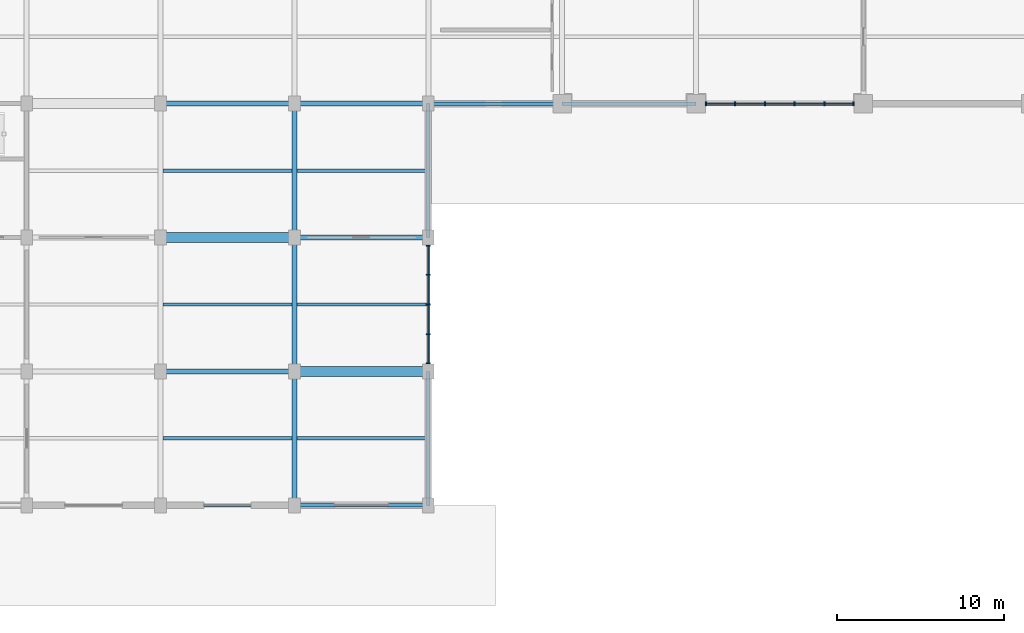
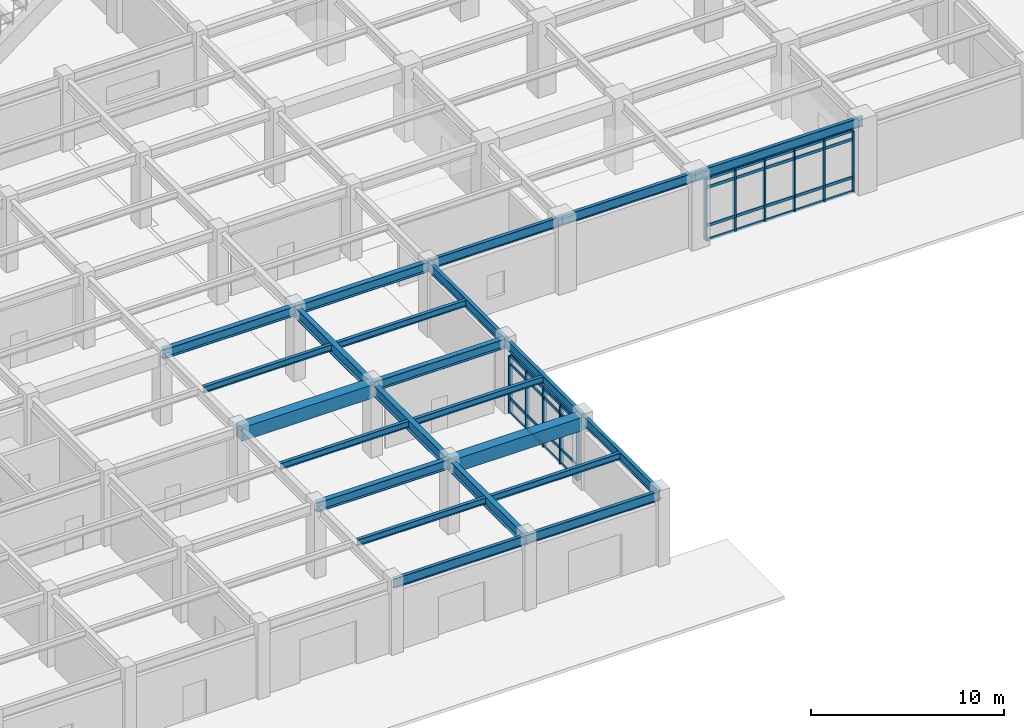
# One storey, part 34 of 125: 47 members, 23 beams, 2 elements without a shape of their own.
"""IFC4 building model written with IfcOpenShell, lengths in metres."""

from ifc_helpers import new_model, si_unit, direction, frame, origin, origin_2d, place, context, subcontext, project, spatial, rectangle, i_section, extrude, material, layer, layer_set, material_profile, profile_set, type_object, element, aggregate, save


model = new_model("IFC4")

# Units and contexts
model_context = context("Model", 3, precision=1e-05, world=origin(), true_north=direction((0.0, 1.0)))
body_context = subcontext(model_context, "Body", "Model", "MODEL_VIEW")
ifc_project = project(units=[si_unit("LENGTHUNIT", "METRE"), si_unit("AREAUNIT", "SQUARE_METRE"), si_unit("VOLUMEUNIT", "CUBIC_METRE"), si_unit("PLANEANGLEUNIT", "RADIAN"), si_unit("MASSUNIT", "GRAM", prefix="KILO")], contexts=[model_context])

# Site, building, storey
site_placement = place(None, origin())
site = spatial("IfcSite", under=ifc_project, at=site_placement, CompositionType="ELEMENT")
building_placement = place(site_placement, origin())
building = spatial("IfcBuilding", under=site, at=building_placement, Name="Haebicheon Civic Stadium", CompositionType="ELEMENT")
storey_placement = place(building_placement, origin())
storey = spatial("IfcBuildingStorey", under=building, at=storey_placement, Name="L01", CompositionType="ELEMENT", Elevation=0.0)

# Beams
ifc_material_1 = material(Name="Steel SM355 (S355)", Category="steel")
ifc_material_profile_1 = material_profile(ifc_material_1, i_section(OverallWidth=0.300048828125, OverallDepth=0.60009765625, WebThickness=0.011962890625, FlangeThickness=0.02001953125, at=origin_2d()), Name="H-600x300x12x20")
ifc_profile_set_1 = profile_set([ifc_material_profile_1], Name="Steel SM355 (S355)")
beam_type_1 = type_object("IfcBeamType", Name="BM-ST-H600A", PredefinedType="BEAM", material=ifc_profile_set_1)
for number, where, z_axis, x_axis, name in (
    (1, (184.0, 8.0, 4.219970703125), (1.0, 0.0, 0.0), (0.0, 1.0, 0.0), "L01 beam B/24-25"),
    (2, (184.0, 24.0, 4.219970703125), (1.0, 0.0, 0.0), (0.0, 1.0, 0.0), "L01 beam D/24-25"),
    (3, (192.0, 16.0, 4.219970703125), (1.0, 0.0, 0.0), (0.0, 1.0, 0.0), "L01 beam C/25-26"),
    (4, (192.0, 24.0, 4.219970703125), (1.0, 0.0, 0.0), (0.0, 1.0, 0.0), "L01 beam D/25-26"),
):
    element("IfcBeam", number, at=place(storey_placement, frame(where, z_axis=z_axis, x_axis=x_axis)), inside=storey, type_object=beam_type_1, material=ifc_profile_set_1, Name=name, PredefinedType="BEAM", context=body_context, shape_type="SweptSolid", body=[
        extrude(i_section(OverallWidth=0.300048828125, OverallDepth=0.60009765625, WebThickness=0.011962890625, FlangeThickness=0.02001953125, at=origin_2d()), origin(), (0.0, 0.0, 1.0), 8.0),
    ])
ifc_material_2 = material(Name="Steel SM490", Category="steel")
ifc_material_profile_2 = material_profile(ifc_material_2, i_section(OverallWidth=0.300048828125, OverallDepth=0.699951171875, WebThickness=0.012939453125, FlangeThickness=0.02392578125, at=origin_2d()), Name="H-700x300x13x24")
ifc_profile_set_2 = profile_set([ifc_material_profile_2], Name="Steel SM490")
beam_type_2 = type_object("IfcBeamType", Name="BM-ST-H700", PredefinedType="BEAM", material=ifc_profile_set_2)
for number, where, z_axis, x_axis, name in (
    (5, (192.0, 0.0, 4.169921875), (0.0, 1.0, 0.0), (-1.0, 0.0, 0.0), "L01 girder 25/A-B"),
    (6, (192.0, 8.0, 4.169921875), (0.0, 1.0, 0.0), (-1.0, 0.0, 0.0), "L01 girder 25/B-C"),
    (7, (192.0, 16.0, 4.169921875), (0.0, 1.0, 0.0), (-1.0, 0.0, 0.0), "L01 girder 25/C-D"),
):
    element("IfcBeam", number, at=place(storey_placement, frame(where, z_axis=z_axis, x_axis=x_axis)), inside=storey, type_object=beam_type_2, material=ifc_profile_set_2, Name=name, PredefinedType="BEAM", context=body_context, shape_type="SweptSolid", body=[
        extrude(i_section(OverallWidth=0.300048828125, OverallDepth=0.699951171875, WebThickness=0.012939453125, FlangeThickness=0.02392578125, at=origin_2d()), origin(), (0.0, 0.0, 1.0), 8.0),
    ])
ifc_material_3 = material(Name="Precast concrete C40/50", Category="concrete")
ifc_material_profile_3 = material_profile(ifc_material_3, rectangle(XDim=0.60009765625, YDim=0.85009765625, at=origin_2d()), Name="PC-TB-600x850")
ifc_profile_set_3 = profile_set([ifc_material_profile_3], Name="Precast concrete C40/50")
beam_type_3 = type_object("IfcBeamType", Name="BM-TB-600x850", PredefinedType="T_BEAM", material=ifc_profile_set_3)
for number, where, z_axis, x_axis, name in (
    (8, (184.0, 16.0, 4.094970703125), (1.0, 0.0, 0.0), (0.0, 1.0, 0.0), "L01 beam C/24-25"),
    (9, (192.0, 8.0, 4.094970703125), (1.0, 0.0, 0.0), (0.0, 1.0, 0.0), "L01 beam B/25-26"),
):
    element("IfcBeam", number, at=place(storey_placement, frame(where, z_axis=z_axis, x_axis=x_axis)), inside=storey, type_object=beam_type_3, material=ifc_profile_set_3, Name=name, PredefinedType="T_BEAM", context=body_context, shape_type="SweptSolid", body=[
        extrude(rectangle(XDim=0.60009765625, YDim=0.85009765625, at=origin_2d()), origin(), (0.0, 0.0, 1.0), 8.0),
    ])

# Curtain wall, members
ifc_material_4 = material(Name="Anodised aluminium and laminated glass", Category="aluminium")
ifc_layer_1 = layer(ifc_material_4, 0.179931640625, Name="Anodised aluminium and laminated glass")
ifc_layer_set_1 = layer_set([ifc_layer_1], Name="Anodised aluminium and laminated glass")
curtain_wall_type_1 = type_object("IfcCurtainWallType", Name="CW-7100x3660", PredefinedType="NOTDEFINED", material=ifc_layer_set_1)
curtain_wall_1_placement = place(storey_placement, origin())
curtain_wall_1 = element("IfcCurtainWall", 10, at=curtain_wall_1_placement, inside=storey, type_object=curtain_wall_type_1, material=ifc_layer_set_1, Name="L01 unitised curtain wall 023", PredefinedType="NOTDEFINED")
ifc_material_5 = material(Name="Anodised aluminium 6063-T6", Category="aluminium")
ifc_material_profile_4 = material_profile(ifc_material_5, rectangle(XDim=0.080078125, YDim=0.239990234375, at=origin_2d()), Name="ALU-MULL-80x240")
ifc_profile_set_4 = profile_set([ifc_material_profile_4], Name="Anodised aluminium 6063-T6")
member_type_1 = type_object("IfcMemberType", Name="CWM-240x80", PredefinedType="MULLION", material=ifc_profile_set_4)
member_1_placement = place(storey_placement, frame((200.0, 8.489990234375, 0.0), z_axis=(0.0, 0.0, 1.0), x_axis=(0.0, 1.0, 0.0)))
member_1 = element("IfcMember", 11, at=member_1_placement, type_object=member_type_1, material=ifc_profile_set_4, Name="CW-L01-023 vertical mullion 1", PredefinedType="MULLION", context=body_context, shape_type="SweptSolid", body=[
    extrude(rectangle(XDim=0.080078125, YDim=0.239990234375, at=origin_2d()), origin(), (0.0, 0.0, 1.0), 3.659912109375),
])
member_2_placement = place(storey_placement, frame((200.0, 10.22509765625, 0.0), z_axis=(0.0, 0.0, 1.0), x_axis=(0.0, 1.0, 0.0)))
member_2 = element("IfcMember", 12, at=member_2_placement, type_object=member_type_1, material=ifc_profile_set_4, Name="CW-L01-023 vertical mullion 2", PredefinedType="MULLION", context=body_context, shape_type="SweptSolid", body=[
    extrude(rectangle(XDim=0.080078125, YDim=0.239990234375, at=origin_2d()), origin(), (0.0, 0.0, 1.0), 3.659912109375),
])
member_3_placement = place(storey_placement, frame((200.0, 12.0, 0.0), z_axis=(0.0, 0.0, 1.0), x_axis=(0.0, 1.0, 0.0)))
member_3 = element("IfcMember", 13, at=member_3_placement, type_object=member_type_1, material=ifc_profile_set_4, Name="CW-L01-023 vertical mullion 3", PredefinedType="MULLION", context=body_context, shape_type="SweptSolid", body=[
    extrude(rectangle(XDim=0.080078125, YDim=0.239990234375, at=origin_2d()), origin(), (0.0, 0.0, 1.0), 3.659912109375),
])
member_4_placement = place(storey_placement, frame((200.0, 13.77490234375, 0.0), z_axis=(0.0, 0.0, 1.0), x_axis=(0.0, 1.0, 0.0)))
member_4 = element("IfcMember", 14, at=member_4_placement, type_object=member_type_1, material=ifc_profile_set_4, Name="CW-L01-023 vertical mullion 4", PredefinedType="MULLION", context=body_context, shape_type="SweptSolid", body=[
    extrude(rectangle(XDim=0.080078125, YDim=0.239990234375, at=origin_2d()), origin(), (0.0, 0.0, 1.0), 3.659912109375),
])
member_5_placement = place(storey_placement, frame((200.0, 15.510009765625, 0.0), z_axis=(0.0, 0.0, 1.0), x_axis=(0.0, 1.0, 0.0)))
member_5 = element("IfcMember", 15, at=member_5_placement, type_object=member_type_1, material=ifc_profile_set_4, Name="CW-L01-023 vertical mullion 5", PredefinedType="MULLION", context=body_context, shape_type="SweptSolid", body=[
    extrude(rectangle(XDim=0.080078125, YDim=0.239990234375, at=origin_2d()), origin(), (0.0, 0.0, 1.0), 3.659912109375),
])

ifc_material_6 = material(Name="Anodised aluminium and laminated glass", Category="aluminium")
ifc_layer_2 = layer(ifc_material_6, 0.179931640625, Name="Anodised aluminium and laminated glass")
ifc_layer_set_2 = layer_set([ifc_layer_2], Name="Anodised aluminium and laminated glass")
curtain_wall_type_2 = type_object("IfcCurtainWallType", Name="CW-8900x3870", PredefinedType="NOTDEFINED", material=ifc_layer_set_2)
curtain_wall_2_placement = place(storey_placement, origin())
curtain_wall_2 = element("IfcCurtainWall", 16, at=curtain_wall_2_placement, inside=storey, type_object=curtain_wall_type_2, material=ifc_layer_set_2, Name="L01 unitised curtain wall 027", PredefinedType="NOTDEFINED")
member_6_placement = place(storey_placement, frame((216.590087890625, 24.0, 0.0), z_axis=(0.0, 0.0, 1.0), x_axis=(1.0, 0.0, 0.0)))
member_6 = element("IfcMember", 17, at=member_6_placement, type_object=member_type_1, material=ifc_profile_set_4, Name="CW-L01-027 vertical mullion 1", PredefinedType="MULLION", context=body_context, shape_type="SweptSolid", body=[
    extrude(rectangle(XDim=0.080078125, YDim=0.239990234375, at=origin_2d()), origin(), (0.0, 0.0, 1.0), 3.8701171875),
])
member_7_placement = place(storey_placement, frame((218.330078125, 24.0, 0.0), z_axis=(0.0, 0.0, 1.0), x_axis=(1.0, 0.0, 0.0)))
member_7 = element("IfcMember", 18, at=member_7_placement, type_object=member_type_1, material=ifc_profile_set_4, Name="CW-L01-027 vertical mullion 2", PredefinedType="MULLION", context=body_context, shape_type="SweptSolid", body=[
    extrude(rectangle(XDim=0.080078125, YDim=0.239990234375, at=origin_2d()), origin(), (0.0, 0.0, 1.0), 3.8701171875),
])
member_8_placement = place(storey_placement, frame((220.110107421875, 24.0, 0.0), z_axis=(0.0, 0.0, 1.0), x_axis=(1.0, 0.0, 0.0)))
member_8 = element("IfcMember", 19, at=member_8_placement, type_object=member_type_1, material=ifc_profile_set_4, Name="CW-L01-027 vertical mullion 3", PredefinedType="MULLION", context=body_context, shape_type="SweptSolid", body=[
    extrude(rectangle(XDim=0.080078125, YDim=0.239990234375, at=origin_2d()), origin(), (0.0, 0.0, 1.0), 3.8701171875),
])
member_9_placement = place(storey_placement, frame((221.889892578125, 24.0, 0.0), z_axis=(0.0, 0.0, 1.0), x_axis=(1.0, 0.0, 0.0)))
member_9 = element("IfcMember", 20, at=member_9_placement, type_object=member_type_1, material=ifc_profile_set_4, Name="CW-L01-027 vertical mullion 4", PredefinedType="MULLION", context=body_context, shape_type="SweptSolid", body=[
    extrude(rectangle(XDim=0.080078125, YDim=0.239990234375, at=origin_2d()), origin(), (0.0, 0.0, 1.0), 3.8701171875),
])
member_10_placement = place(storey_placement, frame((223.669921875, 24.0, 0.0), z_axis=(0.0, 0.0, 1.0), x_axis=(1.0, 0.0, 0.0)))
member_10 = element("IfcMember", 21, at=member_10_placement, type_object=member_type_1, material=ifc_profile_set_4, Name="CW-L01-027 vertical mullion 5", PredefinedType="MULLION", context=body_context, shape_type="SweptSolid", body=[
    extrude(rectangle(XDim=0.080078125, YDim=0.239990234375, at=origin_2d()), origin(), (0.0, 0.0, 1.0), 3.8701171875),
])
member_11_placement = place(storey_placement, frame((225.409912109375, 24.0, 0.0), z_axis=(0.0, 0.0, 1.0), x_axis=(1.0, 0.0, 0.0)))
member_11 = element("IfcMember", 22, at=member_11_placement, type_object=member_type_1, material=ifc_profile_set_4, Name="CW-L01-027 vertical mullion 6", PredefinedType="MULLION", context=body_context, shape_type="SweptSolid", body=[
    extrude(rectangle(XDim=0.080078125, YDim=0.239990234375, at=origin_2d()), origin(), (0.0, 0.0, 1.0), 3.8701171875),
])

# Member
ifc_material_7 = material(Name="Anodised aluminium 6063-T6", Category="aluminium")
ifc_material_profile_5 = material_profile(ifc_material_7, rectangle(XDim=0.080078125, YDim=0.179931640625, at=origin_2d()), Name="ALU-TRAN-80x180")
ifc_profile_set_5 = profile_set([ifc_material_profile_5], Name="Anodised aluminium 6063-T6")
member_type_2 = type_object("IfcMemberType", Name="CWT-180x80", PredefinedType="NOTDEFINED", material=ifc_profile_set_5)
member_12_placement = place(storey_placement, frame((200.0, 8.530029296875, 0.0), z_axis=(0.0, 1.0, 0.0), x_axis=(-1.0, 0.0, 0.0)))
member_12 = element("IfcMember", 23, at=member_12_placement, type_object=member_type_2, material=ifc_profile_set_5, Name="CW-L01-023 horizontal transom 1.1", ObjectType="TRANSOM", PredefinedType="USERDEFINED", context=body_context, shape_type="SweptSolid", body=[
    extrude(rectangle(XDim=0.080078125, YDim=0.179931640625, at=origin_2d()), origin(), (0.0, 0.0, 1.0), 1.655029296875),
])

member_13_placement = place(storey_placement, frame((200.0, 8.530029296875, 0.89990234375), z_axis=(0.0, 1.0, 0.0), x_axis=(-1.0, 0.0, 0.0)))
member_13 = element("IfcMember", 24, at=member_13_placement, type_object=member_type_2, material=ifc_profile_set_5, Name="CW-L01-023 horizontal transom 1.2", ObjectType="TRANSOM", PredefinedType="USERDEFINED", context=body_context, shape_type="SweptSolid", body=[
    extrude(rectangle(XDim=0.080078125, YDim=0.179931640625, at=origin_2d()), origin(), (0.0, 0.0, 1.0), 1.655029296875),
])

member_14_placement = place(storey_placement, frame((200.0, 8.530029296875, 3.110107421875), z_axis=(0.0, 1.0, 0.0), x_axis=(-1.0, 0.0, 0.0)))
member_14 = element("IfcMember", 25, at=member_14_placement, type_object=member_type_2, material=ifc_profile_set_5, Name="CW-L01-023 horizontal transom 1.3", ObjectType="TRANSOM", PredefinedType="USERDEFINED", context=body_context, shape_type="SweptSolid", body=[
    extrude(rectangle(XDim=0.080078125, YDim=0.179931640625, at=origin_2d()), origin(), (0.0, 0.0, 1.0), 1.655029296875),
])

member_15_placement = place(storey_placement, frame((200.0, 8.530029296875, 3.659912109375), z_axis=(0.0, 1.0, 0.0), x_axis=(-1.0, 0.0, 0.0)))
member_15 = element("IfcMember", 26, at=member_15_placement, type_object=member_type_2, material=ifc_profile_set_5, Name="CW-L01-023 horizontal transom 1.4", ObjectType="TRANSOM", PredefinedType="USERDEFINED", context=body_context, shape_type="SweptSolid", body=[
    extrude(rectangle(XDim=0.080078125, YDim=0.179931640625, at=origin_2d()), origin(), (0.0, 0.0, 1.0), 1.655029296875),
])

member_16_placement = place(storey_placement, frame((200.0, 10.264892578125, 0.0), z_axis=(0.0, 1.0, 0.0), x_axis=(-1.0, 0.0, 0.0)))
member_16 = element("IfcMember", 27, at=member_16_placement, type_object=member_type_2, material=ifc_profile_set_5, Name="CW-L01-023 horizontal transom 2.1", ObjectType="TRANSOM", PredefinedType="USERDEFINED", context=body_context, shape_type="SweptSolid", body=[
    extrude(rectangle(XDim=0.080078125, YDim=0.179931640625, at=origin_2d()), origin(), (0.0, 0.0, 1.0), 1.695068359375),
])

member_17_placement = place(storey_placement, frame((200.0, 10.264892578125, 0.89990234375), z_axis=(0.0, 1.0, 0.0), x_axis=(-1.0, 0.0, 0.0)))
member_17 = element("IfcMember", 28, at=member_17_placement, type_object=member_type_2, material=ifc_profile_set_5, Name="CW-L01-023 horizontal transom 2.2", ObjectType="TRANSOM", PredefinedType="USERDEFINED", context=body_context, shape_type="SweptSolid", body=[
    extrude(rectangle(XDim=0.080078125, YDim=0.179931640625, at=origin_2d()), origin(), (0.0, 0.0, 1.0), 1.695068359375),
])

member_18_placement = place(storey_placement, frame((200.0, 10.264892578125, 3.110107421875), z_axis=(0.0, 1.0, 0.0), x_axis=(-1.0, 0.0, 0.0)))
member_18 = element("IfcMember", 29, at=member_18_placement, type_object=member_type_2, material=ifc_profile_set_5, Name="CW-L01-023 horizontal transom 2.3", ObjectType="TRANSOM", PredefinedType="USERDEFINED", context=body_context, shape_type="SweptSolid", body=[
    extrude(rectangle(XDim=0.080078125, YDim=0.179931640625, at=origin_2d()), origin(), (0.0, 0.0, 1.0), 1.695068359375),
])

member_19_placement = place(storey_placement, frame((200.0, 10.264892578125, 3.659912109375), z_axis=(0.0, 1.0, 0.0), x_axis=(-1.0, 0.0, 0.0)))
member_19 = element("IfcMember", 30, at=member_19_placement, type_object=member_type_2, material=ifc_profile_set_5, Name="CW-L01-023 horizontal transom 2.4", ObjectType="TRANSOM", PredefinedType="USERDEFINED", context=body_context, shape_type="SweptSolid", body=[
    extrude(rectangle(XDim=0.080078125, YDim=0.179931640625, at=origin_2d()), origin(), (0.0, 0.0, 1.0), 1.695068359375),
])

member_20_placement = place(storey_placement, frame((200.0, 12.0400390625, 0.0), z_axis=(0.0, 1.0, 0.0), x_axis=(-1.0, 0.0, 0.0)))
member_20 = element("IfcMember", 31, at=member_20_placement, type_object=member_type_2, material=ifc_profile_set_5, Name="CW-L01-023 horizontal transom 3.1", ObjectType="TRANSOM", PredefinedType="USERDEFINED", context=body_context, shape_type="SweptSolid", body=[
    extrude(rectangle(XDim=0.080078125, YDim=0.179931640625, at=origin_2d()), origin(), (0.0, 0.0, 1.0), 1.695068359375),
])

member_21_placement = place(storey_placement, frame((200.0, 12.0400390625, 0.89990234375), z_axis=(0.0, 1.0, 0.0), x_axis=(-1.0, 0.0, 0.0)))
member_21 = element("IfcMember", 32, at=member_21_placement, type_object=member_type_2, material=ifc_profile_set_5, Name="CW-L01-023 horizontal transom 3.2", ObjectType="TRANSOM", PredefinedType="USERDEFINED", context=body_context, shape_type="SweptSolid", body=[
    extrude(rectangle(XDim=0.080078125, YDim=0.179931640625, at=origin_2d()), origin(), (0.0, 0.0, 1.0), 1.695068359375),
])

member_22_placement = place(storey_placement, frame((200.0, 12.0400390625, 3.110107421875), z_axis=(0.0, 1.0, 0.0), x_axis=(-1.0, 0.0, 0.0)))
member_22 = element("IfcMember", 33, at=member_22_placement, type_object=member_type_2, material=ifc_profile_set_5, Name="CW-L01-023 horizontal transom 3.3", ObjectType="TRANSOM", PredefinedType="USERDEFINED", context=body_context, shape_type="SweptSolid", body=[
    extrude(rectangle(XDim=0.080078125, YDim=0.179931640625, at=origin_2d()), origin(), (0.0, 0.0, 1.0), 1.695068359375),
])

member_23_placement = place(storey_placement, frame((200.0, 12.0400390625, 3.659912109375), z_axis=(0.0, 1.0, 0.0), x_axis=(-1.0, 0.0, 0.0)))
member_23 = element("IfcMember", 34, at=member_23_placement, type_object=member_type_2, material=ifc_profile_set_5, Name="CW-L01-023 horizontal transom 3.4", ObjectType="TRANSOM", PredefinedType="USERDEFINED", context=body_context, shape_type="SweptSolid", body=[
    extrude(rectangle(XDim=0.080078125, YDim=0.179931640625, at=origin_2d()), origin(), (0.0, 0.0, 1.0), 1.695068359375),
])

member_24_placement = place(storey_placement, frame((200.0, 13.81494140625, 0.0), z_axis=(0.0, 1.0, 0.0), x_axis=(-1.0, 0.0, 0.0)))
member_24 = element("IfcMember", 35, at=member_24_placement, type_object=member_type_2, material=ifc_profile_set_5, Name="CW-L01-023 horizontal transom 4.1", ObjectType="TRANSOM", PredefinedType="USERDEFINED", context=body_context, shape_type="SweptSolid", body=[
    extrude(rectangle(XDim=0.080078125, YDim=0.179931640625, at=origin_2d()), origin(), (0.0, 0.0, 1.0), 1.655029296875),
])

member_25_placement = place(storey_placement, frame((200.0, 13.81494140625, 0.89990234375), z_axis=(0.0, 1.0, 0.0), x_axis=(-1.0, 0.0, 0.0)))
member_25 = element("IfcMember", 36, at=member_25_placement, type_object=member_type_2, material=ifc_profile_set_5, Name="CW-L01-023 horizontal transom 4.2", ObjectType="TRANSOM", PredefinedType="USERDEFINED", context=body_context, shape_type="SweptSolid", body=[
    extrude(rectangle(XDim=0.080078125, YDim=0.179931640625, at=origin_2d()), origin(), (0.0, 0.0, 1.0), 1.655029296875),
])

member_26_placement = place(storey_placement, frame((200.0, 13.81494140625, 3.110107421875), z_axis=(0.0, 1.0, 0.0), x_axis=(-1.0, 0.0, 0.0)))
member_26 = element("IfcMember", 37, at=member_26_placement, type_object=member_type_2, material=ifc_profile_set_5, Name="CW-L01-023 horizontal transom 4.3", ObjectType="TRANSOM", PredefinedType="USERDEFINED", context=body_context, shape_type="SweptSolid", body=[
    extrude(rectangle(XDim=0.080078125, YDim=0.179931640625, at=origin_2d()), origin(), (0.0, 0.0, 1.0), 1.655029296875),
])

member_27_placement = place(storey_placement, frame((200.0, 13.81494140625, 3.659912109375), z_axis=(0.0, 1.0, 0.0), x_axis=(-1.0, 0.0, 0.0)))
member_27 = element("IfcMember", 38, at=member_27_placement, type_object=member_type_2, material=ifc_profile_set_5, Name="CW-L01-023 horizontal transom 4.4", ObjectType="TRANSOM", PredefinedType="USERDEFINED", context=body_context, shape_type="SweptSolid", body=[
    extrude(rectangle(XDim=0.080078125, YDim=0.179931640625, at=origin_2d()), origin(), (0.0, 0.0, 1.0), 1.655029296875),
])

aggregate(curtain_wall_1, [member_1, member_2, member_3, member_4, member_5, member_12, member_13, member_14, member_15, member_16, member_17, member_18, member_19, member_20, member_21, member_22, member_23, member_24, member_25, member_26, member_27])

member_28_placement = place(storey_placement, frame((216.6298828125, 24.0, 0.0), z_axis=(1.0, 0.0, 0.0), x_axis=(0.0, 1.0, 0.0)))
member_28 = element("IfcMember", 39, at=member_28_placement, type_object=member_type_2, material=ifc_profile_set_5, Name="CW-L01-027 horizontal transom 1.1", ObjectType="TRANSOM", PredefinedType="USERDEFINED", context=body_context, shape_type="SweptSolid", body=[
    extrude(rectangle(XDim=0.080078125, YDim=0.179931640625, at=origin_2d()), origin(), (0.0, 0.0, 1.0), 1.66015625),
])

member_29_placement = place(storey_placement, frame((216.6298828125, 24.0, 0.89990234375), z_axis=(1.0, 0.0, 0.0), x_axis=(0.0, 1.0, 0.0)))
member_29 = element("IfcMember", 40, at=member_29_placement, type_object=member_type_2, material=ifc_profile_set_5, Name="CW-L01-027 horizontal transom 1.2", ObjectType="TRANSOM", PredefinedType="USERDEFINED", context=body_context, shape_type="SweptSolid", body=[
    extrude(rectangle(XDim=0.080078125, YDim=0.179931640625, at=origin_2d()), origin(), (0.0, 0.0, 1.0), 1.66015625),
])

member_30_placement = place(storey_placement, frame((216.6298828125, 24.0, 3.320068359375), z_axis=(1.0, 0.0, 0.0), x_axis=(0.0, 1.0, 0.0)))
member_30 = element("IfcMember", 41, at=member_30_placement, type_object=member_type_2, material=ifc_profile_set_5, Name="CW-L01-027 horizontal transom 1.3", ObjectType="TRANSOM", PredefinedType="USERDEFINED", context=body_context, shape_type="SweptSolid", body=[
    extrude(rectangle(XDim=0.080078125, YDim=0.179931640625, at=origin_2d()), origin(), (0.0, 0.0, 1.0), 1.66015625),
])

member_31_placement = place(storey_placement, frame((216.6298828125, 24.0, 3.8701171875), z_axis=(1.0, 0.0, 0.0), x_axis=(0.0, 1.0, 0.0)))
member_31 = element("IfcMember", 42, at=member_31_placement, type_object=member_type_2, material=ifc_profile_set_5, Name="CW-L01-027 horizontal transom 1.4", ObjectType="TRANSOM", PredefinedType="USERDEFINED", context=body_context, shape_type="SweptSolid", body=[
    extrude(rectangle(XDim=0.080078125, YDim=0.179931640625, at=origin_2d()), origin(), (0.0, 0.0, 1.0), 1.66015625),
])

member_32_placement = place(storey_placement, frame((218.3701171875, 24.0, 0.0), z_axis=(1.0, 0.0, 0.0), x_axis=(0.0, 1.0, 0.0)))
member_32 = element("IfcMember", 43, at=member_32_placement, type_object=member_type_2, material=ifc_profile_set_5, Name="CW-L01-027 horizontal transom 2.1", ObjectType="TRANSOM", PredefinedType="USERDEFINED", context=body_context, shape_type="SweptSolid", body=[
    extrude(rectangle(XDim=0.080078125, YDim=0.179931640625, at=origin_2d()), origin(), (0.0, 0.0, 1.0), 1.699951171875),
])

member_33_placement = place(storey_placement, frame((218.3701171875, 24.0, 0.89990234375), z_axis=(1.0, 0.0, 0.0), x_axis=(0.0, 1.0, 0.0)))
member_33 = element("IfcMember", 44, at=member_33_placement, type_object=member_type_2, material=ifc_profile_set_5, Name="CW-L01-027 horizontal transom 2.2", ObjectType="TRANSOM", PredefinedType="USERDEFINED", context=body_context, shape_type="SweptSolid", body=[
    extrude(rectangle(XDim=0.080078125, YDim=0.179931640625, at=origin_2d()), origin(), (0.0, 0.0, 1.0), 1.699951171875),
])

member_34_placement = place(storey_placement, frame((218.3701171875, 24.0, 3.320068359375), z_axis=(1.0, 0.0, 0.0), x_axis=(0.0, 1.0, 0.0)))
member_34 = element("IfcMember", 45, at=member_34_placement, type_object=member_type_2, material=ifc_profile_set_5, Name="CW-L01-027 horizontal transom 2.3", ObjectType="TRANSOM", PredefinedType="USERDEFINED", context=body_context, shape_type="SweptSolid", body=[
    extrude(rectangle(XDim=0.080078125, YDim=0.179931640625, at=origin_2d()), origin(), (0.0, 0.0, 1.0), 1.699951171875),
])

member_35_placement = place(storey_placement, frame((218.3701171875, 24.0, 3.8701171875), z_axis=(1.0, 0.0, 0.0), x_axis=(0.0, 1.0, 0.0)))
member_35 = element("IfcMember", 46, at=member_35_placement, type_object=member_type_2, material=ifc_profile_set_5, Name="CW-L01-027 horizontal transom 2.4", ObjectType="TRANSOM", PredefinedType="USERDEFINED", context=body_context, shape_type="SweptSolid", body=[
    extrude(rectangle(XDim=0.080078125, YDim=0.179931640625, at=origin_2d()), origin(), (0.0, 0.0, 1.0), 1.699951171875),
])

member_36_placement = place(storey_placement, frame((220.14990234375, 24.0, 0.0), z_axis=(1.0, 0.0, 0.0), x_axis=(0.0, 1.0, 0.0)))
member_36 = element("IfcMember", 47, at=member_36_placement, type_object=member_type_2, material=ifc_profile_set_5, Name="CW-L01-027 horizontal transom 3.1", ObjectType="TRANSOM", PredefinedType="USERDEFINED", context=body_context, shape_type="SweptSolid", body=[
    extrude(rectangle(XDim=0.080078125, YDim=0.179931640625, at=origin_2d()), origin(), (0.0, 0.0, 1.0), 1.7001953125),
])

member_37_placement = place(storey_placement, frame((220.14990234375, 24.0, 0.89990234375), z_axis=(1.0, 0.0, 0.0), x_axis=(0.0, 1.0, 0.0)))
member_37 = element("IfcMember", 48, at=member_37_placement, type_object=member_type_2, material=ifc_profile_set_5, Name="CW-L01-027 horizontal transom 3.2", ObjectType="TRANSOM", PredefinedType="USERDEFINED", context=body_context, shape_type="SweptSolid", body=[
    extrude(rectangle(XDim=0.080078125, YDim=0.179931640625, at=origin_2d()), origin(), (0.0, 0.0, 1.0), 1.7001953125),
])

member_38_placement = place(storey_placement, frame((220.14990234375, 24.0, 3.320068359375), z_axis=(1.0, 0.0, 0.0), x_axis=(0.0, 1.0, 0.0)))
member_38 = element("IfcMember", 49, at=member_38_placement, type_object=member_type_2, material=ifc_profile_set_5, Name="CW-L01-027 horizontal transom 3.3", ObjectType="TRANSOM", PredefinedType="USERDEFINED", context=body_context, shape_type="SweptSolid", body=[
    extrude(rectangle(XDim=0.080078125, YDim=0.179931640625, at=origin_2d()), origin(), (0.0, 0.0, 1.0), 1.7001953125),
])

member_39_placement = place(storey_placement, frame((220.14990234375, 24.0, 3.8701171875), z_axis=(1.0, 0.0, 0.0), x_axis=(0.0, 1.0, 0.0)))
member_39 = element("IfcMember", 50, at=member_39_placement, type_object=member_type_2, material=ifc_profile_set_5, Name="CW-L01-027 horizontal transom 3.4", ObjectType="TRANSOM", PredefinedType="USERDEFINED", context=body_context, shape_type="SweptSolid", body=[
    extrude(rectangle(XDim=0.080078125, YDim=0.179931640625, at=origin_2d()), origin(), (0.0, 0.0, 1.0), 1.7001953125),
])

member_40_placement = place(storey_placement, frame((221.929931640625, 24.0, 0.0), z_axis=(1.0, 0.0, 0.0), x_axis=(0.0, 1.0, 0.0)))
member_40 = element("IfcMember", 51, at=member_40_placement, type_object=member_type_2, material=ifc_profile_set_5, Name="CW-L01-027 horizontal transom 4.1", ObjectType="TRANSOM", PredefinedType="USERDEFINED", context=body_context, shape_type="SweptSolid", body=[
    extrude(rectangle(XDim=0.080078125, YDim=0.179931640625, at=origin_2d()), origin(), (0.0, 0.0, 1.0), 1.699951171875),
])

member_41_placement = place(storey_placement, frame((221.929931640625, 24.0, 0.89990234375), z_axis=(1.0, 0.0, 0.0), x_axis=(0.0, 1.0, 0.0)))
member_41 = element("IfcMember", 52, at=member_41_placement, type_object=member_type_2, material=ifc_profile_set_5, Name="CW-L01-027 horizontal transom 4.2", ObjectType="TRANSOM", PredefinedType="USERDEFINED", context=body_context, shape_type="SweptSolid", body=[
    extrude(rectangle(XDim=0.080078125, YDim=0.179931640625, at=origin_2d()), origin(), (0.0, 0.0, 1.0), 1.699951171875),
])

member_42_placement = place(storey_placement, frame((221.929931640625, 24.0, 3.320068359375), z_axis=(1.0, 0.0, 0.0), x_axis=(0.0, 1.0, 0.0)))
member_42 = element("IfcMember", 53, at=member_42_placement, type_object=member_type_2, material=ifc_profile_set_5, Name="CW-L01-027 horizontal transom 4.3", ObjectType="TRANSOM", PredefinedType="USERDEFINED", context=body_context, shape_type="SweptSolid", body=[
    extrude(rectangle(XDim=0.080078125, YDim=0.179931640625, at=origin_2d()), origin(), (0.0, 0.0, 1.0), 1.699951171875),
])

member_43_placement = place(storey_placement, frame((221.929931640625, 24.0, 3.8701171875), z_axis=(1.0, 0.0, 0.0), x_axis=(0.0, 1.0, 0.0)))
member_43 = element("IfcMember", 54, at=member_43_placement, type_object=member_type_2, material=ifc_profile_set_5, Name="CW-L01-027 horizontal transom 4.4", ObjectType="TRANSOM", PredefinedType="USERDEFINED", context=body_context, shape_type="SweptSolid", body=[
    extrude(rectangle(XDim=0.080078125, YDim=0.179931640625, at=origin_2d()), origin(), (0.0, 0.0, 1.0), 1.699951171875),
])

member_44_placement = place(storey_placement, frame((223.7099609375, 24.0, 0.0), z_axis=(1.0, 0.0, 0.0), x_axis=(0.0, 1.0, 0.0)))
member_44 = element("IfcMember", 55, at=member_44_placement, type_object=member_type_2, material=ifc_profile_set_5, Name="CW-L01-027 horizontal transom 5.1", ObjectType="TRANSOM", PredefinedType="USERDEFINED", context=body_context, shape_type="SweptSolid", body=[
    extrude(rectangle(XDim=0.080078125, YDim=0.179931640625, at=origin_2d()), origin(), (0.0, 0.0, 1.0), 1.66015625),
])

member_45_placement = place(storey_placement, frame((223.7099609375, 24.0, 0.89990234375), z_axis=(1.0, 0.0, 0.0), x_axis=(0.0, 1.0, 0.0)))
member_45 = element("IfcMember", 56, at=member_45_placement, type_object=member_type_2, material=ifc_profile_set_5, Name="CW-L01-027 horizontal transom 5.2", ObjectType="TRANSOM", PredefinedType="USERDEFINED", context=body_context, shape_type="SweptSolid", body=[
    extrude(rectangle(XDim=0.080078125, YDim=0.179931640625, at=origin_2d()), origin(), (0.0, 0.0, 1.0), 1.66015625),
])

member_46_placement = place(storey_placement, frame((223.7099609375, 24.0, 3.320068359375), z_axis=(1.0, 0.0, 0.0), x_axis=(0.0, 1.0, 0.0)))
member_46 = element("IfcMember", 57, at=member_46_placement, type_object=member_type_2, material=ifc_profile_set_5, Name="CW-L01-027 horizontal transom 5.3", ObjectType="TRANSOM", PredefinedType="USERDEFINED", context=body_context, shape_type="SweptSolid", body=[
    extrude(rectangle(XDim=0.080078125, YDim=0.179931640625, at=origin_2d()), origin(), (0.0, 0.0, 1.0), 1.66015625),
])

member_47_placement = place(storey_placement, frame((223.7099609375, 24.0, 3.8701171875), z_axis=(1.0, 0.0, 0.0), x_axis=(0.0, 1.0, 0.0)))
member_47 = element("IfcMember", 58, at=member_47_placement, type_object=member_type_2, material=ifc_profile_set_5, Name="CW-L01-027 horizontal transom 5.4", ObjectType="TRANSOM", PredefinedType="USERDEFINED", context=body_context, shape_type="SweptSolid", body=[
    extrude(rectangle(XDim=0.080078125, YDim=0.179931640625, at=origin_2d()), origin(), (0.0, 0.0, 1.0), 1.66015625),
])

aggregate(curtain_wall_2, [member_6, member_7, member_8, member_9, member_10, member_11, member_28, member_29, member_30, member_31, member_32, member_33, member_34, member_35, member_36, member_37, member_38, member_39, member_40, member_41, member_42, member_43, member_44, member_45, member_46, member_47])

# Beams
ifc_material_8 = material(Name="Steel SM355 (S355)", Category="steel")
ifc_material_profile_6 = material_profile(ifc_material_8, i_section(OverallWidth=0.199951171875, OverallDepth=0.39990234375, WebThickness=0.008056640625, FlangeThickness=0.012939453125, at=origin_2d()), Name="H-400x200x8x13")
ifc_profile_set_6 = profile_set([ifc_material_profile_6], Name="Steel SM355 (S355)")
beam_type_4 = type_object("IfcBeamType", Name="JST-ST-H400", PredefinedType="JOIST", material=ifc_profile_set_6)
for number, where, z_axis, x_axis, name in (
    (59, (184.14990234375, 4.0, 4.320068359375), (1.0, 0.0, 0.0), (0.0, 1.0, 0.0), "L01 secondary joist 23-00"),
    (60, (184.14990234375, 12.0, 4.320068359375), (1.0, 0.0, 0.0), (0.0, 1.0, 0.0), "L01 secondary joist 23-01"),
    (61, (184.14990234375, 20.0, 4.320068359375), (1.0, 0.0, 0.0), (0.0, 1.0, 0.0), "L01 secondary joist 23-02"),
):
    element("IfcBeam", number, at=place(storey_placement, frame(where, z_axis=z_axis, x_axis=x_axis)), inside=storey, type_object=beam_type_4, material=ifc_profile_set_6, Name=name, PredefinedType="JOIST", context=body_context, shape_type="SweptSolid", body=[
        extrude(i_section(OverallWidth=0.199951171875, OverallDepth=0.39990234375, WebThickness=0.008056640625, FlangeThickness=0.012939453125, at=origin_2d()), origin(), (0.0, 0.0, 1.0), 7.7001953125),
    ])
for number, where, z_axis, x_axis, name in (
    (62, (192.14990234375, 4.0, 4.320068359375), (1.0, 0.0, 0.0), (0.0, 1.0, 0.0), "L01 secondary joist 24-00"),
    (63, (192.14990234375, 12.0, 4.320068359375), (1.0, 0.0, 0.0), (0.0, 1.0, 0.0), "L01 secondary joist 24-01"),
    (64, (192.14990234375, 20.0, 4.320068359375), (1.0, 0.0, 0.0), (0.0, 1.0, 0.0), "L01 secondary joist 24-02"),
):
    element("IfcBeam", number, at=place(storey_placement, frame(where, z_axis=z_axis, x_axis=x_axis)), inside=storey, type_object=beam_type_4, material=ifc_profile_set_6, Name=name, PredefinedType="JOIST", context=body_context, shape_type="SweptSolid", body=[
        extrude(i_section(OverallWidth=0.199951171875, OverallDepth=0.39990234375, WebThickness=0.008056640625, FlangeThickness=0.012939453125, at=origin_2d()), origin(), (0.0, 0.0, 1.0), 7.75),
    ])
ifc_material_9 = material(Name="Steel SM355 (S355)", Category="steel")
ifc_material_profile_7 = material_profile(ifc_material_9, i_section(OverallWidth=0.199951171875, OverallDepth=0.60009765625, WebThickness=0.010986328125, FlangeThickness=0.01708984375, at=origin_2d()), Name="H-600x200x11x17")
ifc_profile_set_7 = profile_set([ifc_material_profile_7], Name="Steel SM355 (S355)")
beam_type_5 = type_object("IfcBeamType", Name="SPD-ST-H600B", PredefinedType="SPANDREL", material=ifc_profile_set_7)
for number, where, z_axis, x_axis, name in (
    (65, (200.0, 0.0, 4.219970703125), (0.0, 1.0, 0.0), (-1.0, 0.0, 0.0), "L01 girder 26/A-B"),
    (66, (200.0, 8.0, 4.219970703125), (0.0, 1.0, 0.0), (-1.0, 0.0, 0.0), "L01 girder 26/B-C"),
    (67, (200.0, 16.0, 4.219970703125), (0.0, 1.0, 0.0), (-1.0, 0.0, 0.0), "L01 girder 26/C-D"),
    (68, (184.0, 0.0, 4.219970703125), (1.0, 0.0, 0.0), (0.0, 1.0, 0.0), "L01 beam A/24-25"),
    (69, (192.0, 0.0, 4.219970703125), (1.0, 0.0, 0.0), (0.0, 1.0, 0.0), "L01 beam A/25-26"),
    (70, (200.0, 24.0, 4.280029296875), (1.0, 0.0, 0.0), (0.0, 1.0, 0.0), "L01 beam D/26-27"),
    (71, (208.0, 24.0, 4.280029296875), (1.0, 0.0, 0.0), (0.0, 1.0, 0.0), "L01 beam D/27-28"),
):
    element("IfcBeam", number, at=place(storey_placement, frame(where, z_axis=z_axis, x_axis=x_axis)), inside=storey, type_object=beam_type_5, material=ifc_profile_set_7, Name=name, PredefinedType="SPANDREL", context=body_context, shape_type="SweptSolid", body=[
        extrude(i_section(OverallWidth=0.199951171875, OverallDepth=0.60009765625, WebThickness=0.010986328125, FlangeThickness=0.01708984375, at=origin_2d()), origin(), (0.0, 0.0, 1.0), 8.0),
    ])
beam_placement = place(storey_placement, frame((216.0, 24.0, 4.280029296875), z_axis=(1.0, 0.0, 0.0), x_axis=(0.0, 1.0, 0.0)))
element("IfcBeam", 72, at=beam_placement, inside=storey, type_object=beam_type_5, material=ifc_profile_set_7, Name="L01 beam D/28-29", PredefinedType="SPANDREL", context=body_context, shape_type="SweptSolid", body=[
    extrude(i_section(OverallWidth=0.199951171875, OverallDepth=0.60009765625, WebThickness=0.010986328125, FlangeThickness=0.01708984375, at=origin_2d()), origin(), (0.0, 0.0, 1.0), 10.0),
])

save(model, "model.ifc")
